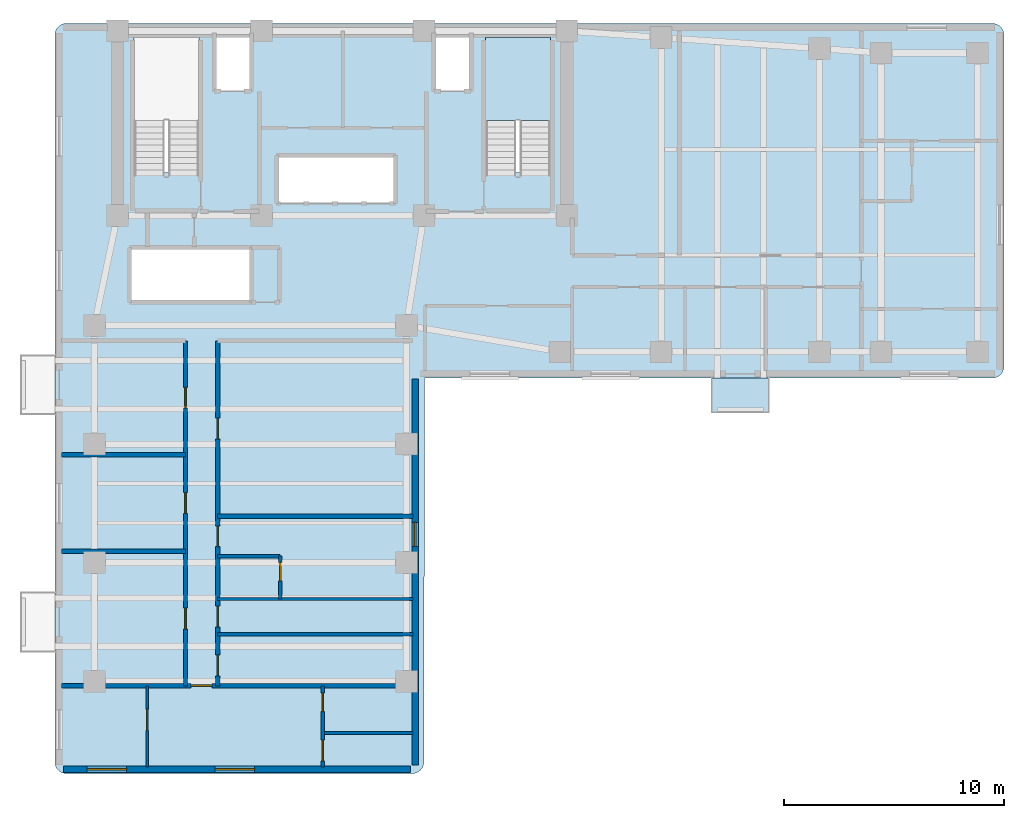
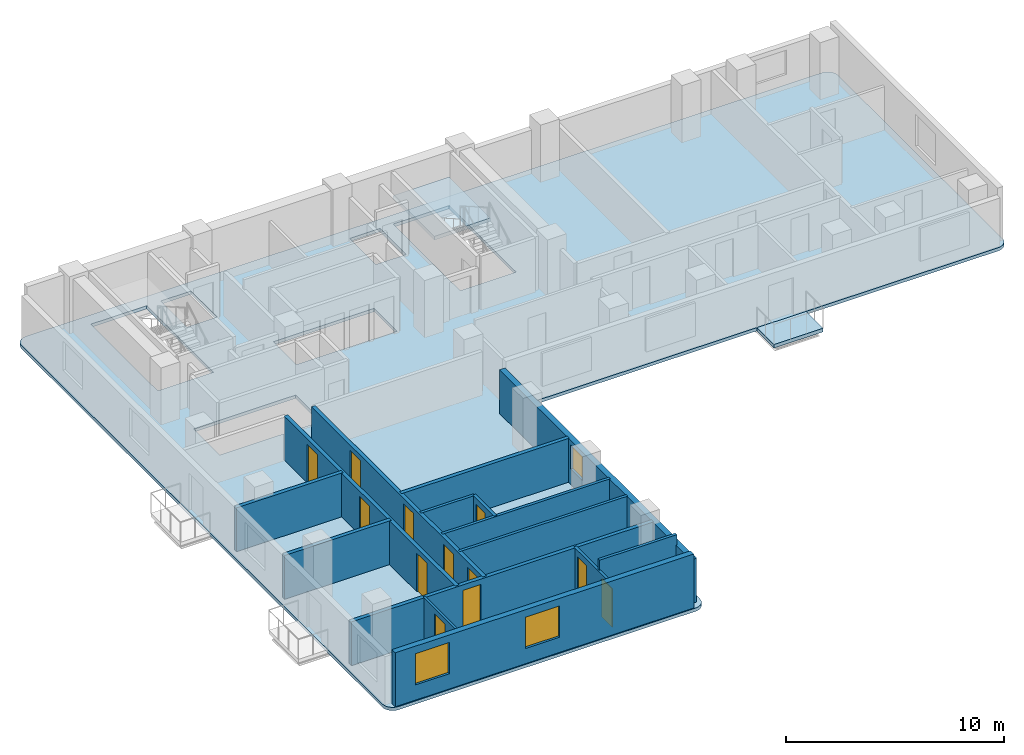
# One storey, part 2 of 7: 15 walls, 12 doors, 3 slabs, 3 windows, 15 openings, 1 element without a shape of its own.
"""IFC4 building model written with IfcOpenShell, lengths in metres."""

import ifcopenshell
import ifcopenshell.guid

model = None  # the IFC model being written
_history = None  # IfcOwnerHistory: only IFC2X3 demands one
_inside = {}  # id of a spatial element -> (the spatial element, [elements in it])
_under = {}  # id of a project, library or spatial element -> (it, [spatial elements below it])
_declared = {}  # id of a project -> (the project, [libraries it declares])
_typed = {}  # id of a type object -> (the type object, [elements of that type])
_made_of = {}  # id of a material, layer set ... -> (it, [elements and type objects made of it])


def new_model(schema):
    """Start an empty IFC model of exactly this schema.

    Asked for "IFC4X3", IfcOpenShell would pick the latest addendum, in which some entities
    have other attributes; the version numbers below select the first issue.
    IFC2X3 requires an IfcOwnerHistory on every rooted entity: one is made here for all.
    """
    global model, _history
    if schema == "IFC4X3":
        model = ifcopenshell.file(schema_version=(4, 3, 0, 0))
    else:
        model = ifcopenshell.file(schema=schema)
    _inside.clear()
    _under.clear()
    _declared.clear()
    _typed.clear()
    _made_of.clear()
    _history = None
    if model.schema == "IFC2X3":
        org = make("IfcOrganization", Name="unknown")
        user = make(
            "IfcPersonAndOrganization",
            ThePerson=make("IfcPerson", FamilyName="unknown"),
            TheOrganization=org,
        )
        app = make(
            "IfcApplication",
            ApplicationDeveloper=org,
            Version="unknown",
            ApplicationFullName="unknown",
            ApplicationIdentifier="unknown",
        )
        _history = make(
            "IfcOwnerHistory",
            OwningUser=user,
            OwningApplication=app,
            ChangeAction="ADDED",
            CreationDate=0,
        )
    return model


def make(cls, **values):
    """One entity of the class cls with the attributes given. An attribute that is None is left unset."""
    return model.create_entity(
        cls, **{name: value for name, value in values.items() if value is not None}
    )


def rooted(cls, **values):
    """An entity with a GlobalId (a new one), such as an element, a storey or a relation."""
    return make(cls, GlobalId=ifcopenshell.guid.new(), OwnerHistory=_history, **values)


def si_unit(unit_type, name, prefix=None):
    """IfcSIUnit, for example si_unit("LENGTHUNIT", "METRE", prefix="MILLI")."""
    return make("IfcSIUnit", UnitType=unit_type, Prefix=prefix, Name=name)


def assignment(units):
    """IfcUnitAssignment: the units of a project."""
    return None if units is None else make("IfcUnitAssignment", Units=units)


def point(xyz):
    """IfcCartesianPoint."""
    return None if xyz is None else make("IfcCartesianPoint", Coordinates=xyz)


def direction(xyz):
    """IfcDirection."""
    return None if xyz is None else make("IfcDirection", DirectionRatios=xyz)


def frame(location, z_axis=None, x_axis=None):
    """IfcAxis2Placement3D, a coordinate frame: its origin and axes. An axis left out is left unset."""
    return make(
        "IfcAxis2Placement3D",
        Location=point(location),
        Axis=direction(z_axis),
        RefDirection=direction(x_axis),
    )


def frame_2d(location, x_axis=None):
    """IfcAxis2Placement2D, a coordinate frame in the plane: its origin and x axis."""
    return make(
        "IfcAxis2Placement2D", Location=point(location), RefDirection=direction(x_axis)
    )


def origin():
    """The frame at (0, 0, 0) with its axes left unset."""
    return frame((0.0, 0.0, 0.0))


def place(relative_to, where):
    """IfcLocalPlacement: puts the frame where relative to a parent placement (None: the world)."""
    return make(
        "IfcLocalPlacement", PlacementRelTo=relative_to, RelativePlacement=where
    )


def context(
    kind, dimensions, precision=None, world=None, true_north=None, identifier=None
):
    """IfcGeometricRepresentationContext, for example the 3D "Model" context."""
    return make(
        "IfcGeometricRepresentationContext",
        ContextIdentifier=identifier,
        ContextType=kind,
        CoordinateSpaceDimension=dimensions,
        Precision=precision,
        WorldCoordinateSystem=world,
        TrueNorth=true_north,
    )


def subcontext(parent, identifier, kind, view, scale=None):
    """IfcGeometricRepresentationSubContext, for example "Body" below "Model"."""
    return make(
        "IfcGeometricRepresentationSubContext",
        ContextIdentifier=identifier,
        ContextType=kind,
        ParentContext=parent,
        TargetScale=scale,
        TargetView=view,
    )


def project(units=None, contexts=None):
    """IfcProject with its units and contexts."""
    return rooted(
        "IfcProject",
        Name="project",
        RepresentationContexts=contexts,
        UnitsInContext=assignment(units),
    )


def spatial(cls, under=None, at=None, **own):
    """A site, building, storey or space (cls), placed at a placement, below another one or the project."""
    s = rooted(cls, ObjectPlacement=at, **own)
    if under is not None:
        _under.setdefault(under.id(), (under, []))[1].append(s)
    return s


def polyline(points):
    """IfcPolyline through the points."""
    return make("IfcPolyline", Points=[point(p) for p in points])


def profile(cls, at=None, kind="AREA", **sizes):
    """A parametric profile (cls). Its sizes go by their IFC names, for example OverallWidth=200.0."""
    return make(cls, ProfileType=kind, Position=at, **sizes)


def rectangle(**sizes):
    """IfcRectangleProfileDef."""
    return profile("IfcRectangleProfileDef", **sizes)


def outline(outer, holes=None, kind="AREA"):
    """IfcArbitraryClosedProfileDef: a profile drawn as a closed curve; with holes, ...WithVoids."""
    if holes is None:
        return make("IfcArbitraryClosedProfileDef", ProfileType=kind, OuterCurve=outer)
    return make(
        "IfcArbitraryProfileDefWithVoids",
        ProfileType=kind,
        OuterCurve=outer,
        InnerCurves=holes,
    )


def extrude(swept, where, along, depth):
    """IfcExtrudedAreaSolid: the profile swept, set in the frame where, extruded along a direction by depth."""
    return make(
        "IfcExtrudedAreaSolid",
        SweptArea=swept,
        Position=where,
        ExtrudedDirection=direction(along),
        Depth=depth,
    )


def shape(context_of_items, identifier, shape_type, items):
    """IfcShapeRepresentation: the items that make up one representation, for example the "Body"."""
    return make(
        "IfcShapeRepresentation",
        ContextOfItems=context_of_items,
        RepresentationIdentifier=identifier,
        RepresentationType=shape_type,
        Items=items,
    )


def material(Name=None, Category=None):
    """IfcMaterial."""
    return make("IfcMaterial", Name=Name, Category=Category)


def layer(
    of_material, thickness, ventilated=None, Name=None, Category=None, Priority=None
):
    """IfcMaterialLayer: one layer of a wall or slab, of a material (None: an air gap)."""
    return make(
        "IfcMaterialLayer",
        Material=of_material,
        LayerThickness=thickness,
        IsVentilated=ventilated,
        Name=Name,
        Category=Category,
        Priority=Priority,
    )


def layer_set(layers, Name=None):
    """IfcMaterialLayerSet."""
    return make("IfcMaterialLayerSet", MaterialLayers=layers, LayerSetName=Name)


def made_of(thing, what):
    """Note that an element or type object is made of a material, layer set ...; save() writes the relation."""
    if what is not None:
        _made_of.setdefault(what.id(), (what, []))[1].append(thing)
    return thing


def type_object(cls, material=None, **own):
    """A type object (cls), such as IfcWallType, which elements share."""
    return made_of(rooted(cls, **own), material)


def element(
    cls,
    number,
    at=None,
    inside=None,
    cuts=None,
    type_object=None,
    material=None,
    context=None,
    identifier="Body",
    shape_type=None,
    held_by="IfcProductDefinitionShape",
    body=None,
    shapes=None,
    **own,
):
    """One element of the class cls, such as IfcWall. Its Tag is "e" and its number.

    at: its placement. inside: the storey or other place that contains it. cuts: it is an
    opening in that element (IfcRelVoidsElement). A single representation is given by context,
    identifier, shape_type and body (its items); several are given by shapes. held_by: the class
    of the entity that holds the representations. save() writes the other relations.
    """
    e = rooted(cls, Tag="e%d" % number, ObjectPlacement=at, **own)
    if body is not None:
        shapes = [shape(context, identifier, shape_type, body)]
    if shapes is not None:
        e.Representation = make(held_by, Representations=shapes)
    if inside is not None:
        _inside.setdefault(inside.id(), (inside, []))[1].append(e)
    if cuts is not None:
        rooted(
            "IfcRelVoidsElement", RelatingBuildingElement=cuts, RelatedOpeningElement=e
        )
    if type_object is not None:
        _typed.setdefault(type_object.id(), (type_object, []))[1].append(e)
    return made_of(e, material)


def fill(opening, filler):
    """IfcRelFillsElement: the door or window that sits in an opening."""
    return rooted(
        "IfcRelFillsElement",
        RelatingOpeningElement=opening,
        RelatedBuildingElement=filler,
    )


def aggregate(whole, parts):
    """IfcRelAggregates: a whole, such as a stair, and the parts it consists of."""
    return rooted("IfcRelAggregates", RelatingObject=whole, RelatedObjects=parts)


def save(model, path):
    """Write the relations noted so far, then the file.

    IfcRelAggregates (storeys below a building ...), IfcRelContainedInSpatialStructure (elements
    in a storey), IfcRelDefinesByType, IfcRelAssociatesMaterial and IfcRelDeclares: one each for
    every whole, place, type object, material and project.
    """
    for whole, parts in _under.values():
        aggregate(whole, parts)
    for where, things in _inside.values():
        rooted(
            "IfcRelContainedInSpatialStructure",
            RelatedElements=things,
            RelatingStructure=where,
        )
    for kind, things in _typed.values():
        rooted("IfcRelDefinesByType", RelatedObjects=things, RelatingType=kind)
    for what, things in _made_of.values():
        rooted("IfcRelAssociatesMaterial", RelatedObjects=things, RelatingMaterial=what)
    for by, libraries in _declared.values():
        rooted("IfcRelDeclares", RelatingContext=by, RelatedDefinitions=libraries)
    model.write(path)


model = new_model("IFC4")

# Units and contexts
model_context = context("Model", 3, precision=1e-05, world=origin(), true_north=direction((0.0, 1.0)))
body_context = subcontext(model_context, "Body", "Model", "MODEL_VIEW")
ifc_project = project(units=[si_unit("LENGTHUNIT", "METRE"), si_unit("AREAUNIT", "SQUARE_METRE"), si_unit("VOLUMEUNIT", "CUBIC_METRE"), si_unit("PLANEANGLEUNIT", "RADIAN"), si_unit("MASSUNIT", "GRAM", prefix="KILO")], contexts=[model_context])

# Site, building, storey
site_placement = place(None, origin())
site = spatial("IfcSite", under=ifc_project, at=site_placement, CompositionType="ELEMENT")
building_placement = place(site_placement, origin())
building = spatial("IfcBuilding", under=site, at=building_placement, Name="Kuzgunbayir Cultural Tower", CompositionType="ELEMENT")
storey_placement = place(building_placement, frame((0.0, 0.0, 129.800048828125)))
storey = spatial("IfcBuildingStorey", under=building, at=storey_placement, Name="L37", CompositionType="ELEMENT", Elevation=129.800048828125)

# Slab
ifc_material_1 = material(Name="Concrete C40/50", Category="concrete")
ifc_layer_1 = layer(ifc_material_1, 0.199951171875)
ifc_layer_set_1 = layer_set([ifc_layer_1], Name="Concrete C40/50")
slab_type_1 = type_object("IfcSlabType", Name="SLB-BAL-STONE", PredefinedType="FLOOR", material=ifc_layer_set_1)
slab_1_placement = place(storey_placement, frame((0.0, 0.0, -0.199951171875)))
element("IfcSlab", 1, at=slab_1_placement, inside=storey, type_object=slab_type_1, Name="L37 Projecting Limestone Balcony BAL-L37-WB2", PredefinedType="FLOOR", context=body_context, shape_type="SweptSolid", body=[
    extrude(outline(polyline([(33.5, 24.840087890625), (36.10009765625, 24.840087890625), (36.10009765625, 26.39990234375), (33.5, 26.39990234375), (33.5, 24.840087890625)])), origin(), (0.0, 0.0, 1.0), 0.199951171875),
])

# Stair, slab
stair_type = type_object("IfcStairType", Name="STR-EXIT-CORE", PredefinedType="HALF_TURN_STAIR", material=ifc_material_1)
stair_placement = place(storey_placement, origin())
stair = element("IfcStair", 2, at=stair_placement, inside=storey, type_object=stair_type, Name="L37 ST-2", PredefinedType="HALF_TURN_STAIR")
ifc_layer_2 = layer(ifc_material_1, 0.179931640625)
ifc_layer_set_2 = layer_set([ifc_layer_2], Name="Concrete C40/50")
slab_type_2 = type_object("IfcSlabType", Name="SLB-LANDING-180", PredefinedType="LANDING", material=ifc_layer_set_2)
slab_2_placement = place(storey_placement, frame((0.0, 0.0, 1.39990234375)))
slab_2 = element("IfcSlab", 3, at=slab_2_placement, type_object=slab_type_2, Name="ST-2 landing 1", PredefinedType="LANDING", context=body_context, shape_type="SweptSolid", body=[
    extrude(outline(polyline([(26.159912109375, 38.1201171875), (26.159912109375, 41.89990234375), (23.199951171875, 41.89990234375), (23.199951171875, 38.1201171875), (26.159912109375, 38.1201171875)])), origin(), (0.0, 0.0, 1.0), 0.199951171875),
])
aggregate(stair, [slab_2])

# Slab
ifc_layer_3 = layer(ifc_material_1, 0.179931640625)
ifc_layer_set_3 = layer_set([ifc_layer_3], Name="Concrete C40/50")
slab_type_3 = type_object("IfcSlabType", Name="SLB-TYP-180", PredefinedType="FLOOR", material=ifc_layer_set_3)
slab_3_placement = place(storey_placement, frame((0.0, 0.0, -0.179931640625)))
element("IfcSlab", 4, at=slab_3_placement, inside=storey, type_object=slab_type_3, Name="L37 Tower 1 Floor Slab T1-MAIN", PredefinedType="FLOOR", context=body_context, shape_type="SweptSolid", body=[
    extrude(outline(polyline([(20.39990234375, 8.949951171875), (20.389892578125, 8.840087890625), (20.360107421875, 8.739990234375), (20.31005859375, 8.639892578125), (20.239990234375, 8.56005859375), (20.159912109375, 8.489990234375), (20.06005859375, 8.43994140625), (19.9599609375, 8.409912109375), (19.85009765625, 8.39990234375), (4.14990234375, 8.39990234375), (4.0400390625, 8.409912109375), (3.93994140625, 8.43994140625), (3.840087890625, 8.489990234375), (3.760009765625, 8.56005859375), (3.68994140625, 8.639892578125), (3.639892578125, 8.739990234375), (3.610107421875, 8.840087890625), (3.60009765625, 8.949951171875), (3.60009765625, 42.0), (3.610107421875, 42.110107421875), (3.639892578125, 42.2099609375), (3.68994140625, 42.31005859375), (3.760009765625, 42.389892578125), (3.840087890625, 42.4599609375), (3.93994140625, 42.510009765625), (4.0400390625, 42.5400390625), (4.14990234375, 42.550048828125), (46.25, 42.550048828125), (46.360107421875, 42.5400390625), (46.4599609375, 42.510009765625), (46.56005859375, 42.4599609375), (46.639892578125, 42.389892578125), (46.7099609375, 42.31005859375), (46.760009765625, 42.2099609375), (46.7900390625, 42.110107421875), (46.800048828125, 42.0), (46.800048828125, 26.949951171875), (46.7900390625, 26.840087890625), (46.760009765625, 26.739990234375), (46.7099609375, 26.639892578125), (46.639892578125, 26.56005859375), (46.56005859375, 26.489990234375), (46.4599609375, 26.43994140625), (46.360107421875, 26.409912109375), (46.25, 26.39990234375), (20.429931640625, 26.39990234375), (20.39990234375, 8.949951171875)]), holes=[polyline([(7.199951171875, 35.760009765625), (7.199951171875, 41.89990234375), (10.159912109375, 41.89990234375), (10.159912109375, 35.760009765625), (7.199951171875, 35.760009765625)]), polyline([(23.199951171875, 35.760009765625), (23.199951171875, 41.89990234375), (26.159912109375, 41.89990234375), (26.159912109375, 35.760009765625), (23.199951171875, 35.760009765625)]), polyline([(13.75, 34.39990234375), (13.75, 36.5), (19.080078125, 36.5), (19.080078125, 34.39990234375), (13.75, 34.39990234375)]), polyline([(7.10009765625, 29.89990234375), (7.10009765625, 32.300048828125), (12.5, 32.300048828125), (12.5, 29.89990234375), (7.10009765625, 29.89990234375)]), polyline([(10.89990234375, 39.5), (10.89990234375, 41.89990234375), (12.5, 41.89990234375), (12.5, 39.5), (10.89990234375, 39.5)]), polyline([(20.89990234375, 39.5), (20.89990234375, 41.89990234375), (22.5, 41.89990234375), (22.5, 39.5), (20.89990234375, 39.5)])]), origin(), (0.0, 0.0, 1.0), 0.179931640625),
])

# Wall, openings, windows
ifc_material_2 = material(Name="Anatolian Cream Limestone", Category="masonry")
ifc_layer_4 = layer(ifc_material_2, 0.300048828125)
ifc_layer_set_4 = layer_set([ifc_layer_4], Name="Anatolian Cream Limestone")
wall_type_1 = type_object("IfcWallType", Name="WAL-EXT-STONE-300", PredefinedType="STANDARD", material=ifc_layer_set_4)
wall_1_placement = place(storey_placement, frame((4.0, 8.60009765625, 0.0), z_axis=(0.0, 0.0, 1.0), x_axis=(1.0, 0.0, 0.0)))
wall_1 = element("IfcWall", 5, at=wall_1_placement, inside=storey, type_object=wall_type_1, Name="L37 Wing A South Limestone Wall", PredefinedType="STANDARD", context=body_context, shape_type="SweptSolid", body=[
    extrude(rectangle(XDim=15.800048828125, YDim=0.300048828125, at=frame_2d((7.89990234375, 0.0))), origin(), (0.0, 0.0, 1.0), 3.02001953125),
])
opening_1_placement = place(wall_1_placement, frame((1.070068359375, 0.0, 0.85009765625)))
opening_1 = element("IfcOpeningElement", 6, at=opening_1_placement, cuts=wall_1, Name="Opening WH-18", PredefinedType="OPENING", context=body_context, shape_type="SweptSolid", body=[
    extrude(rectangle(XDim=1.800048828125, YDim=1.75, at=frame_2d((0.89990234375, 0.875))), frame((0.0, 0.16015625, 0.0), z_axis=(0.0, -1.0, 0.0), x_axis=(1.0, 0.0, 0.0)), (0.0, 0.0, 1.0), 0.320068359375),
])
opening_2_placement = place(wall_1_placement, frame((6.89990234375, 0.0, 0.85009765625)))
opening_2 = element("IfcOpeningElement", 7, at=opening_2_placement, cuts=wall_1, Name="Opening WH-18", PredefinedType="OPENING", context=body_context, shape_type="SweptSolid", body=[
    extrude(rectangle(XDim=1.800048828125, YDim=1.75, at=frame_2d((0.89990234375, 0.875))), frame((0.0, 0.16015625, 0.0), z_axis=(0.0, -1.0, 0.0), x_axis=(1.0, 0.0, 0.0)), (0.0, 0.0, 1.0), 0.320068359375),
])
ifc_material_3 = material(Name="Solar-Control Triple Glazing", Category="glass")
window_type_1 = type_object("IfcWindowType", Name="WIN-HOTEL-18", PartitioningType="SINGLE_PANEL", PredefinedType="WINDOW", material=ifc_material_3)
window_1_placement = place(opening_1_placement, origin())
window_1 = element("IfcWindow", 8, at=window_1_placement, inside=storey, type_object=window_type_1, Name="L37 WAS Facade Window 1", OverallHeight=1.75, OverallWidth=1.800048828125, PartitioningType="SINGLE_PANEL", PredefinedType="WINDOW", context=body_context, shape_type="SweptSolid", body=[
    extrude(rectangle(XDim=1.800048828125, YDim=1.75, at=frame_2d((0.89990234375, 0.875))), frame((0.0, 0.030029296875, 0.0), z_axis=(0.0, -1.0, 0.0), x_axis=(1.0, 0.0, 0.0)), (0.0, 0.0, 1.0), 0.06005859375),
])
fill(opening_1, window_1)
window_2_placement = place(opening_2_placement, origin())
window_2 = element("IfcWindow", 9, at=window_2_placement, inside=storey, type_object=window_type_1, Name="L37 WAS Facade Window 2", OverallHeight=1.75, OverallWidth=1.800048828125, PartitioningType="SINGLE_PANEL", PredefinedType="WINDOW", context=body_context, shape_type="SweptSolid", body=[
    extrude(rectangle(XDim=1.800048828125, YDim=1.75, at=frame_2d((0.89990234375, 0.875))), frame((0.0, 0.030029296875, 0.0), z_axis=(0.0, -1.0, 0.0), x_axis=(1.0, 0.0, 0.0)), (0.0, 0.0, 1.0), 0.06005859375),
])
fill(opening_2, window_2)

# Wall, opening, window
wall_2_placement = place(storey_placement, frame((20.0, 8.800048828125, 0.0), z_axis=(0.0, 0.0, 1.0), x_axis=(0.0, 1.0, 0.0)))
wall_2 = element("IfcWall", 10, at=wall_2_placement, inside=storey, type_object=wall_type_1, Name="L37 Wing A East Limestone Wall", PredefinedType="STANDARD", context=body_context, shape_type="SweptSolid", body=[
    extrude(rectangle(XDim=17.550048828125, YDim=0.300048828125, at=frame_2d((8.77490234375, 0.0))), origin(), (0.0, 0.0, 1.0), 2.449951171875),
])
opening_3_placement = place(wall_2_placement, frame((9.93994140625, 0.0, 0.85009765625)))
opening_3 = element("IfcOpeningElement", 11, at=opening_3_placement, cuts=wall_2, Name="Opening WN-11", PredefinedType="OPENING", context=body_context, shape_type="SweptSolid", body=[
    extrude(rectangle(XDim=1.10009765625, YDim=1.35009765625, at=frame_2d((0.550048828125, 0.675048828125))), frame((0.0, 0.16015625, 0.0), z_axis=(0.0, -1.0, 0.0), x_axis=(1.0, 0.0, 0.0)), (0.0, 0.0, 1.0), 0.320068359375),
])
window_type_2 = type_object("IfcWindowType", Name="WIN-NARROW-11", PartitioningType="SINGLE_PANEL", PredefinedType="WINDOW", material=ifc_material_3)
window_3_placement = place(opening_3_placement, origin())
window_3 = element("IfcWindow", 12, at=window_3_placement, inside=storey, type_object=window_type_2, Name="L37 WAE Facade Window 3", OverallHeight=1.35009765625, OverallWidth=1.10009765625, PartitioningType="SINGLE_PANEL", PredefinedType="WINDOW", context=body_context, shape_type="SweptSolid", body=[
    extrude(rectangle(XDim=1.10009765625, YDim=1.35009765625, at=frame_2d((0.550048828125, 0.675048828125))), frame((0.0, 0.030029296875, 0.0), z_axis=(0.0, -1.0, 0.0), x_axis=(1.0, 0.0, 0.0)), (0.0, 0.0, 1.0), 0.06005859375),
])
fill(opening_3, window_3)

# Wall
ifc_material_4 = material(Name="Acoustic Double-Stud Drywall", Category="gypsum")
ifc_layer_5 = layer(ifc_material_4, 0.14990234375)
ifc_layer_set_5 = layer_set([ifc_layer_5], Name="Acoustic Double-Stud Drywall")
wall_type_2 = type_object("IfcWallType", Name="WAL-PART-ACOUSTIC-150", PredefinedType="PARTITIONING", material=ifc_layer_set_5)
wall_3_placement = place(storey_placement, frame((11.010009765625, 14.75, 0.0), z_axis=(0.0, 0.0, 1.0), x_axis=(1.0, 0.0, 0.0)))
element("IfcWall", 13, at=wall_3_placement, inside=storey, type_object=wall_type_2, Name="L37 Housekeeping North Wall", PredefinedType="PARTITIONING", context=body_context, shape_type="SweptSolid", body=[
    extrude(rectangle(XDim=8.889892578125, YDim=0.14990234375, at=frame_2d((4.44482421875, 0.0))), origin(), (0.0, 0.0, 1.0), 2.449951171875),
])

# Wall, openings, doors
ifc_material_5 = material(Name="Aerated Concrete Blockwork", Category="masonry")
ifc_layer_6 = layer(ifc_material_5, 0.199951171875)
ifc_layer_set_6 = layer_set([ifc_layer_6], Name="Aerated Concrete Blockwork")
wall_type_3 = type_object("IfcWallType", Name="WAL-PART-FIRE-200", PredefinedType="PARTITIONING", material=ifc_layer_set_6)
wall_4_placement = place(storey_placement, frame((9.550048828125, 12.39990234375, 0.0), z_axis=(0.0, 0.0, 1.0), x_axis=(0.0, 1.0, 0.0)))
wall_4 = element("IfcWall", 14, at=wall_4_placement, inside=storey, type_object=wall_type_3, Name="L37 Wing A West Corridor Wall", PredefinedType="PARTITIONING", context=body_context, shape_type="SweptSolid", body=[
    extrude(rectangle(XDim=15.7001953125, YDim=0.199951171875, at=frame_2d((7.85009765625, 0.0))), origin(), (0.0, 0.0, 1.0), 2.449951171875),
])
opening_4_placement = place(wall_4_placement, frame((2.580078125, 0.0, 0.0)))
opening_4 = element("IfcOpeningElement", 15, at=opening_4_placement, cuts=wall_4, Name="Opening DI-90", PredefinedType="OPENING", context=body_context, shape_type="SweptSolid", body=[
    extrude(rectangle(XDim=0.949951171875, YDim=2.14990234375, at=frame_2d((0.47509765625, 1.074951171875))), frame((0.0, 0.10986328125, 0.0), z_axis=(0.0, -1.0, 0.0), x_axis=(1.0, 0.0, 0.0)), (0.0, 0.0, 1.0), 0.219970703125),
])
opening_5_placement = place(wall_4_placement, frame((7.840087890625, 0.0, 0.0)))
opening_5 = element("IfcOpeningElement", 16, at=opening_5_placement, cuts=wall_4, Name="Opening DI-90", PredefinedType="OPENING", context=body_context, shape_type="SweptSolid", body=[
    extrude(rectangle(XDim=0.949951171875, YDim=2.14990234375, at=frame_2d((0.47509765625, 1.074951171875))), frame((0.0, 0.10986328125, 0.0), z_axis=(0.0, -1.0, 0.0), x_axis=(1.0, 0.0, 0.0)), (0.0, 0.0, 1.0), 0.219970703125),
])
opening_6_placement = place(wall_4_placement, frame((12.6298828125, 0.0, 0.0)))
opening_6 = element("IfcOpeningElement", 17, at=opening_6_placement, cuts=wall_4, Name="Opening DI-90", PredefinedType="OPENING", context=body_context, shape_type="SweptSolid", body=[
    extrude(rectangle(XDim=0.949951171875, YDim=2.14990234375, at=frame_2d((0.47509765625, 1.074951171875))), frame((0.0, 0.10986328125, 0.0), z_axis=(0.0, -1.0, 0.0), x_axis=(1.0, 0.0, 0.0)), (0.0, 0.0, 1.0), 0.219970703125),
])
ifc_material_6 = material(Name="Veneered Oak Single Leaf", Category="wood")
door_type_1 = type_object("IfcDoorType", Name="DR-INT-90", OperationType="NOTDEFINED", PredefinedType="DOOR", material=ifc_material_6)
door_1_placement = place(opening_4_placement, origin())
door_1 = element("IfcDoor", 18, at=door_1_placement, inside=storey, type_object=door_type_1, Name="L37 Seminar Boardroom 1 Door", OperationType="SINGLE_SWING_LEFT", OverallHeight=2.14990234375, OverallWidth=0.949951171875, PredefinedType="DOOR", context=body_context, shape_type="SweptSolid", body=[
    extrude(rectangle(XDim=0.949951171875, YDim=2.14990234375, at=frame_2d((0.47509765625, 1.074951171875))), frame((0.0, 0.02490234375, 0.0), z_axis=(0.0, -1.0, 0.0), x_axis=(1.0, 0.0, 0.0)), (0.0, 0.0, 1.0), 0.050048828125),
])
fill(opening_4, door_1)
door_2_placement = place(opening_5_placement, origin())
door_2 = element("IfcDoor", 19, at=door_2_placement, inside=storey, type_object=door_type_1, Name="L37 Seminar Boardroom 2 Door", OperationType="SINGLE_SWING_RIGHT", OverallHeight=2.14990234375, OverallWidth=0.949951171875, PredefinedType="DOOR", context=body_context, shape_type="SweptSolid", body=[
    extrude(rectangle(XDim=0.949951171875, YDim=2.14990234375, at=frame_2d((0.47509765625, 1.074951171875))), frame((0.0, 0.02490234375, 0.0), z_axis=(0.0, -1.0, 0.0), x_axis=(1.0, 0.0, 0.0)), (0.0, 0.0, 1.0), 0.050048828125),
])
fill(opening_5, door_2)
door_3_placement = place(opening_6_placement, origin())
door_3 = element("IfcDoor", 20, at=door_3_placement, inside=storey, type_object=door_type_1, Name="L37 Seminar Boardroom 3 Door", OperationType="SINGLE_SWING_LEFT", OverallHeight=2.14990234375, OverallWidth=0.949951171875, PredefinedType="DOOR", context=body_context, shape_type="SweptSolid", body=[
    extrude(rectangle(XDim=0.949951171875, YDim=2.14990234375, at=frame_2d((0.47509765625, 1.074951171875))), frame((0.0, 0.02490234375, 0.0), z_axis=(0.0, -1.0, 0.0), x_axis=(1.0, 0.0, 0.0)), (0.0, 0.0, 1.0), 0.050048828125),
])
fill(opening_6, door_3)

wall_5_placement = place(storey_placement, frame((11.010009765625, 12.39990234375, 0.0), z_axis=(0.0, 0.0, 1.0), x_axis=(0.0, 1.0, 0.0)))
wall_5 = element("IfcWall", 21, at=wall_5_placement, inside=storey, type_object=wall_type_3, Name="L37 Wing A East Corridor Wall", PredefinedType="PARTITIONING", context=body_context, shape_type="SweptSolid", body=[
    extrude(rectangle(XDim=15.7001953125, YDim=0.199951171875, at=frame_2d((7.85009765625, 0.0))), origin(), (0.0, 0.0, 1.0), 2.449951171875),
])
opening_7_placement = place(wall_5_placement, frame((0.449951171875, 0.0, 0.0)))
opening_7 = element("IfcOpeningElement", 22, at=opening_7_placement, cuts=wall_5, Name="Opening DI-90", PredefinedType="OPENING", context=body_context, shape_type="SweptSolid", body=[
    extrude(rectangle(XDim=0.949951171875, YDim=2.14990234375, at=frame_2d((0.47509765625, 1.074951171875))), frame((0.0, 0.10986328125, 0.0), z_axis=(0.0, -1.0, 0.0), x_axis=(1.0, 0.0, 0.0)), (0.0, 0.0, 1.0), 0.219970703125),
])
opening_8_placement = place(wall_5_placement, frame((2.669921875, 0.0, 0.0)))
opening_8 = element("IfcOpeningElement", 23, at=opening_8_placement, cuts=wall_5, Name="Opening DW-95", PredefinedType="OPENING", context=body_context, shape_type="SweptSolid", body=[
    extrude(rectangle(XDim=0.949951171875, YDim=2.10009765625, at=frame_2d((0.47509765625, 1.050048828125))), frame((0.0, 0.10986328125, 0.0), z_axis=(0.0, -1.0, 0.0), x_axis=(1.0, 0.0, 0.0)), (0.0, 0.0, 1.0), 0.219970703125),
])
opening_9_placement = place(wall_5_placement, frame((11.22998046875, 0.0, 0.0)))
opening_9 = element("IfcOpeningElement", 24, at=opening_9_placement, cuts=wall_5, Name="Opening DI-90", PredefinedType="OPENING", context=body_context, shape_type="SweptSolid", body=[
    extrude(rectangle(XDim=0.949951171875, YDim=2.14990234375, at=frame_2d((0.47509765625, 1.074951171875))), frame((0.0, 0.10986328125, 0.0), z_axis=(0.0, -1.0, 0.0), x_axis=(1.0, 0.0, 0.0)), (0.0, 0.0, 1.0), 0.219970703125),
])
opening_10_placement = place(wall_5_placement, frame((6.330078125, 0.0, 0.0)))
opening_10 = element("IfcOpeningElement", 25, at=opening_10_placement, cuts=wall_5, Name="Opening DR-APT-60", PredefinedType="OPENING", context=body_context, shape_type="SweptSolid", body=[
    extrude(rectangle(XDim=0.949951171875, YDim=2.14990234375, at=frame_2d((0.47509765625, 1.074951171875))), frame((0.0, 0.10986328125, 0.0), z_axis=(0.0, -1.0, 0.0), x_axis=(1.0, 0.0, 0.0)), (0.0, 0.0, 1.0), 0.219970703125),
])
ifc_material_7 = material(Name="Acoustic Fire Timber Leaf", Category="wood")
door_type_2 = type_object("IfcDoorType", Name="DR-APT-60", OperationType="NOTDEFINED", PredefinedType="DOOR", material=ifc_material_7)
door_4_placement = place(opening_10_placement, origin())
door_4 = element("IfcDoor", 26, at=door_4_placement, inside=storey, type_object=door_type_2, Name="L37 Guest Suite E1 Entrance", OperationType="SINGLE_SWING_RIGHT", OverallHeight=2.14990234375, OverallWidth=0.949951171875, PredefinedType="DOOR", context=body_context, shape_type="SweptSolid", body=[
    extrude(rectangle(XDim=0.949951171875, YDim=2.14990234375, at=frame_2d((0.47509765625, 1.074951171875))), frame((0.0, 0.02490234375, 0.0), z_axis=(0.0, -1.0, 0.0), x_axis=(1.0, 0.0, 0.0)), (0.0, 0.0, 1.0), 0.050048828125),
])
fill(opening_10, door_4)
door_5_placement = place(opening_7_placement, origin())
door_5 = element("IfcDoor", 27, at=door_5_placement, inside=storey, type_object=door_type_1, Name="L37 Housekeeping Room Door", OperationType="SINGLE_SWING_RIGHT", OverallHeight=2.14990234375, OverallWidth=0.949951171875, PredefinedType="DOOR", context=body_context, shape_type="SweptSolid", body=[
    extrude(rectangle(XDim=0.949951171875, YDim=2.14990234375, at=frame_2d((0.47509765625, 1.074951171875))), frame((0.0, 0.02490234375, 0.0), z_axis=(0.0, -1.0, 0.0), x_axis=(1.0, 0.0, 0.0)), (0.0, 0.0, 1.0), 0.050048828125),
])
fill(opening_7, door_5)
door_6_placement = place(opening_9_placement, origin())
door_6 = element("IfcDoor", 28, at=door_6_placement, inside=storey, type_object=door_type_1, Name="L37 Seminar Boardroom E1 Door", OperationType="SINGLE_SWING_RIGHT", OverallHeight=2.14990234375, OverallWidth=0.949951171875, PredefinedType="DOOR", context=body_context, shape_type="SweptSolid", body=[
    extrude(rectangle(XDim=0.949951171875, YDim=2.14990234375, at=frame_2d((0.47509765625, 1.074951171875))), frame((0.0, 0.02490234375, 0.0), z_axis=(0.0, -1.0, 0.0), x_axis=(1.0, 0.0, 0.0)), (0.0, 0.0, 1.0), 0.050048828125),
])
fill(opening_9, door_6)
ifc_material_8 = material(Name="Laminate Moisture-Resistant Leaf", Category="wood")
door_type_3 = type_object("IfcDoorType", Name="DR-WET-95", OperationType="NOTDEFINED", PredefinedType="DOOR", material=ifc_material_8)
door_7_placement = place(opening_8_placement, origin())
door_7 = element("IfcDoor", 29, at=door_7_placement, inside=storey, type_object=door_type_3, Name="L37 Accessible WC Door", OperationType="SINGLE_SWING_LEFT", OverallHeight=2.10009765625, OverallWidth=0.949951171875, PredefinedType="DOOR", context=body_context, shape_type="SweptSolid", body=[
    extrude(rectangle(XDim=0.949951171875, YDim=2.10009765625, at=frame_2d((0.47509765625, 1.050048828125))), frame((0.0, 0.02490234375, 0.0), z_axis=(0.0, -1.0, 0.0), x_axis=(1.0, 0.0, 0.0)), (0.0, 0.0, 1.0), 0.050048828125),
])
fill(opening_8, door_7)

# Wall, opening, door
wall_6_placement = place(storey_placement, frame((3.89990234375, 12.39990234375, 0.0), z_axis=(0.0, 0.0, 1.0), x_axis=(1.0, 0.0, 0.0)))
wall_6 = element("IfcWall", 30, at=wall_6_placement, inside=storey, type_object=wall_type_3, Name="L37 South Cross Partition", PredefinedType="PARTITIONING", context=body_context, shape_type="SweptSolid", body=[
    extrude(rectangle(XDim=16.0, YDim=0.199951171875, at=frame_2d((8.0, 0.0))), origin(), (0.0, 0.0, 1.0), 2.449951171875),
])
opening_11_placement = place(wall_6_placement, frame((5.89990234375, 0.0, 0.0)))
opening_11 = element("IfcOpeningElement", 31, at=opening_11_placement, cuts=wall_6, Name="Opening DR-APT-60", PredefinedType="OPENING", context=body_context, shape_type="SweptSolid", body=[
    extrude(rectangle(XDim=0.949951171875, YDim=2.14990234375, at=frame_2d((0.47509765625, 1.074951171875))), frame((0.0, 0.10986328125, 0.0), z_axis=(0.0, -1.0, 0.0), x_axis=(1.0, 0.0, 0.0)), (0.0, 0.0, 1.0), 0.219970703125),
])
door_8_placement = place(opening_11_placement, origin())
door_8 = element("IfcDoor", 32, at=door_8_placement, inside=storey, type_object=door_type_2, Name="L37 Diplomatic Suite Entrance", OperationType="SINGLE_SWING_RIGHT", OverallHeight=2.14990234375, OverallWidth=0.949951171875, PredefinedType="DOOR", context=body_context, shape_type="SweptSolid", body=[
    extrude(rectangle(XDim=0.949951171875, YDim=2.14990234375, at=frame_2d((0.47509765625, 1.074951171875))), frame((0.0, 0.02490234375, 0.0), z_axis=(0.0, -1.0, 0.0), x_axis=(1.0, 0.0, 0.0)), (0.0, 0.0, 1.0), 0.050048828125),
])
fill(opening_11, door_8)

# Walls
for number, where, z_axis, x_axis, name in (
    (33, (3.89990234375, 18.52001953125, 0.0), (0.0, 0.0, 1.0), (1.0, 0.0, 0.0), "L37 West Party Wall 1"),
    (34, (3.89990234375, 22.919921875, 0.0), (0.0, 0.0, 1.0), (1.0, 0.0, 0.0), "L37 West Party Wall 2"),
):
    element("IfcWall", number, at=place(storey_placement, frame(where, z_axis=z_axis, x_axis=x_axis)), inside=storey, type_object=wall_type_3, Name=name, PredefinedType="PARTITIONING", context=body_context, shape_type="SweptSolid", body=[
        extrude(rectangle(XDim=5.650146484375, YDim=0.199951171875, at=frame_2d((2.8251953125, 0.0))), origin(), (0.0, 0.0, 1.0), 2.449951171875),
    ])
wall_7_placement = place(storey_placement, frame((11.010009765625, 20.1201171875, 0.0), z_axis=(0.0, 0.0, 1.0), x_axis=(1.0, 0.0, 0.0)))
element("IfcWall", 35, at=wall_7_placement, inside=storey, type_object=wall_type_3, Name="L37 Suite E1 Sub-Party Wall", PredefinedType="PARTITIONING", context=body_context, shape_type="SweptSolid", body=[
    extrude(rectangle(XDim=8.889892578125, YDim=0.199951171875, at=frame_2d((4.44482421875, 0.0))), origin(), (0.0, 0.0, 1.0), 2.449951171875),
])

# Wall, opening, door
ifc_material_9 = material(Name="Framed Gypsum Partition", Category="gypsum")
ifc_layer_7 = layer(ifc_material_9, 0.1201171875)
ifc_layer_set_7 = layer_set([ifc_layer_7], Name="Framed Gypsum Partition")
wall_type_4 = type_object("IfcWallType", Name="WAL-PART-INT-120", PredefinedType="PARTITIONING", material=ifc_layer_set_7)
wall_8_placement = place(storey_placement, frame((7.800048828125, 8.699951171875, 0.0), z_axis=(0.0, 0.0, 1.0), x_axis=(0.0, 1.0, 0.0)))
wall_8 = element("IfcWall", 36, at=wall_8_placement, inside=storey, type_object=wall_type_4, Name="L37 Diplomatic Suite Bedroom Wall", PredefinedType="PARTITIONING", context=body_context, shape_type="SweptSolid", body=[
    extrude(rectangle(XDim=3.699951171875, YDim=0.1201171875, at=frame_2d((1.85009765625, 0.0))), origin(), (0.0, 0.0, 1.0), 2.449951171875),
])
opening_12_placement = place(wall_8_placement, frame((1.669921875, 0.0, 0.0)))
opening_12 = element("IfcOpeningElement", 37, at=opening_12_placement, cuts=wall_8, Name="Opening DI-90", PredefinedType="OPENING", context=body_context, shape_type="SweptSolid", body=[
    extrude(rectangle(XDim=0.949951171875, YDim=2.14990234375, at=frame_2d((0.47509765625, 1.074951171875))), frame((0.0, 0.070068359375, 0.0), z_axis=(0.0, -1.0, 0.0), x_axis=(1.0, 0.0, 0.0)), (0.0, 0.0, 1.0), 0.14013671875),
])
door_9_placement = place(opening_12_placement, origin())
door_9 = element("IfcDoor", 38, at=door_9_placement, inside=storey, type_object=door_type_1, Name="L37 Diplomatic Bedroom Door", OperationType="SINGLE_SWING_LEFT", OverallHeight=2.14990234375, OverallWidth=0.949951171875, PredefinedType="DOOR", context=body_context, shape_type="SweptSolid", body=[
    extrude(rectangle(XDim=0.949951171875, YDim=2.14990234375, at=frame_2d((0.47509765625, 1.074951171875))), frame((0.0, 0.02490234375, 0.0), z_axis=(0.0, -1.0, 0.0), x_axis=(1.0, 0.0, 0.0)), (0.0, 0.0, 1.0), 0.050048828125),
])
fill(opening_12, door_9)

# Wall, openings, doors
ifc_material_10 = material(Name="Moisture-Resistant Tile Partition", Category="gypsum")
ifc_layer_8 = layer(ifc_material_10, 0.14990234375)
ifc_layer_set_8 = layer_set([ifc_layer_8], Name="Moisture-Resistant Tile Partition")
wall_type_5 = type_object("IfcWallType", Name="WAL-PART-WET-150", PredefinedType="PARTITIONING", material=ifc_layer_set_8)
wall_9_placement = place(storey_placement, frame((15.800048828125, 8.699951171875, 0.0), z_axis=(0.0, 0.0, 1.0), x_axis=(0.0, 1.0, 0.0)))
wall_9 = element("IfcWall", 39, at=wall_9_placement, inside=storey, type_object=wall_type_5, Name="L37 Diplomatic Suite Service Wall", PredefinedType="PARTITIONING", context=body_context, shape_type="SweptSolid", body=[
    extrude(rectangle(XDim=3.699951171875, YDim=0.14990234375, at=frame_2d((1.85009765625, 0.0))), origin(), (0.0, 0.0, 1.0), 2.449951171875),
])
opening_13_placement = place(wall_9_placement, frame((0.280029296875, 0.0, 0.0)))
opening_13 = element("IfcOpeningElement", 40, at=opening_13_placement, cuts=wall_9, Name="Opening DI-90", PredefinedType="OPENING", context=body_context, shape_type="SweptSolid", body=[
    extrude(rectangle(XDim=0.949951171875, YDim=2.14990234375, at=frame_2d((0.47509765625, 1.074951171875))), frame((0.0, 0.0849609375, 0.0), z_axis=(0.0, -1.0, 0.0), x_axis=(1.0, 0.0, 0.0)), (0.0, 0.0, 1.0), 0.169921875),
])
opening_14_placement = place(wall_9_placement, frame((2.52001953125, 0.0, 0.0)))
opening_14 = element("IfcOpeningElement", 41, at=opening_14_placement, cuts=wall_9, Name="Opening DW-85", PredefinedType="OPENING", context=body_context, shape_type="SweptSolid", body=[
    extrude(rectangle(XDim=0.85009765625, YDim=2.10009765625, at=frame_2d((0.425048828125, 1.050048828125))), frame((0.0, 0.0849609375, 0.0), z_axis=(0.0, -1.0, 0.0), x_axis=(1.0, 0.0, 0.0)), (0.0, 0.0, 1.0), 0.169921875),
])
door_10_placement = place(opening_13_placement, origin())
door_10 = element("IfcDoor", 42, at=door_10_placement, inside=storey, type_object=door_type_1, Name="L37 Diplomatic Kitchen Door", OperationType="SINGLE_SWING_RIGHT", OverallHeight=2.14990234375, OverallWidth=0.949951171875, PredefinedType="DOOR", context=body_context, shape_type="SweptSolid", body=[
    extrude(rectangle(XDim=0.949951171875, YDim=2.14990234375, at=frame_2d((0.47509765625, 1.074951171875))), frame((0.0, 0.02490234375, 0.0), z_axis=(0.0, -1.0, 0.0), x_axis=(1.0, 0.0, 0.0)), (0.0, 0.0, 1.0), 0.050048828125),
])
fill(opening_13, door_10)
door_type_4 = type_object("IfcDoorType", Name="DR-WET-85", OperationType="NOTDEFINED", PredefinedType="DOOR", material=ifc_material_8)
door_11_placement = place(opening_14_placement, origin())
door_11 = element("IfcDoor", 43, at=door_11_placement, inside=storey, type_object=door_type_4, Name="L37 Diplomatic Bathroom Door", OperationType="SINGLE_SWING_LEFT", OverallHeight=2.10009765625, OverallWidth=0.85009765625, PredefinedType="DOOR", context=body_context, shape_type="SweptSolid", body=[
    extrude(rectangle(XDim=0.85009765625, YDim=2.10009765625, at=frame_2d((0.425048828125, 1.050048828125))), frame((0.0, 0.02490234375, 0.0), z_axis=(0.0, -1.0, 0.0), x_axis=(1.0, 0.0, 0.0)), (0.0, 0.0, 1.0), 0.050048828125),
])
fill(opening_14, door_11)

# Walls
wall_10_placement = place(storey_placement, frame((15.800048828125, 10.25, 0.0), z_axis=(0.0, 0.0, 1.0), x_axis=(1.0, 0.0, 0.0)))
element("IfcWall", 44, at=wall_10_placement, inside=storey, type_object=wall_type_5, Name="L37 Diplomatic Suite Bath Kitchen Divider", PredefinedType="PARTITIONING", context=body_context, shape_type="SweptSolid", body=[
    extrude(rectangle(XDim=4.099853515625, YDim=0.14990234375, at=frame_2d((2.0498046875, 0.0))), origin(), (0.0, 0.0, 1.0), 3.02001953125),
])
wall_11_placement = place(storey_placement, frame((11.010009765625, 16.35009765625, 0.0), z_axis=(0.0, 0.0, 1.0), x_axis=(1.0, 0.0, 0.0)))
element("IfcWall", 45, at=wall_11_placement, inside=storey, type_object=wall_type_5, Name="L37 Accessible WC North Wall", PredefinedType="PARTITIONING", context=body_context, shape_type="SweptSolid", body=[
    extrude(rectangle(XDim=8.889892578125, YDim=0.14990234375, at=frame_2d((4.44482421875, 0.0))), origin(), (0.0, 0.0, 1.0), 2.449951171875),
])
wall_12_placement = place(storey_placement, frame((11.010009765625, 18.300048828125, 0.0), z_axis=(0.0, 0.0, 1.0), x_axis=(1.0, 0.0, 0.0)))
element("IfcWall", 46, at=wall_12_placement, inside=storey, type_object=wall_type_5, Name="L37 Suite E1 En-Suite North Wall", PredefinedType="PARTITIONING", context=body_context, shape_type="SweptSolid", body=[
    extrude(rectangle(XDim=2.85009765625, YDim=0.14990234375, at=frame_2d((1.425048828125, 0.0))), origin(), (0.0, 0.0, 1.0), 2.449951171875),
])

# Wall, opening, door
wall_13_placement = place(storey_placement, frame((13.860107421875, 16.35009765625, 0.0), z_axis=(0.0, 0.0, 1.0), x_axis=(0.0, 1.0, 0.0)))
wall_13 = element("IfcWall", 47, at=wall_13_placement, inside=storey, type_object=wall_type_5, Name="L37 Suite E1 En-Suite East Wall", PredefinedType="PARTITIONING", context=body_context, shape_type="SweptSolid", body=[
    extrude(rectangle(XDim=1.949951171875, YDim=0.14990234375, at=frame_2d((0.97509765625, 0.0))), origin(), (0.0, 0.0, 1.0), 2.449951171875),
])
opening_15_placement = place(wall_13_placement, frame((0.820068359375, 0.0, 0.0)))
opening_15 = element("IfcOpeningElement", 48, at=opening_15_placement, cuts=wall_13, Name="Opening DW-85", PredefinedType="OPENING", context=body_context, shape_type="SweptSolid", body=[
    extrude(rectangle(XDim=0.85009765625, YDim=2.10009765625, at=frame_2d((0.425048828125, 1.050048828125))), frame((0.0, 0.0849609375, 0.0), z_axis=(0.0, -1.0, 0.0), x_axis=(1.0, 0.0, 0.0)), (0.0, 0.0, 1.0), 0.169921875),
])
door_12_placement = place(opening_15_placement, origin())
door_12 = element("IfcDoor", 49, at=door_12_placement, inside=storey, type_object=door_type_4, Name="L37 Suite E1 En-Suite Door", OperationType="SINGLE_SWING_LEFT", OverallHeight=2.10009765625, OverallWidth=0.85009765625, PredefinedType="DOOR", context=body_context, shape_type="SweptSolid", body=[
    extrude(rectangle(XDim=0.85009765625, YDim=2.10009765625, at=frame_2d((0.425048828125, 1.050048828125))), frame((0.0, 0.02490234375, 0.0), z_axis=(0.0, -1.0, 0.0), x_axis=(1.0, 0.0, 0.0)), (0.0, 0.0, 1.0), 0.050048828125),
])
fill(opening_15, door_12)

save(model, "model.ifc")
